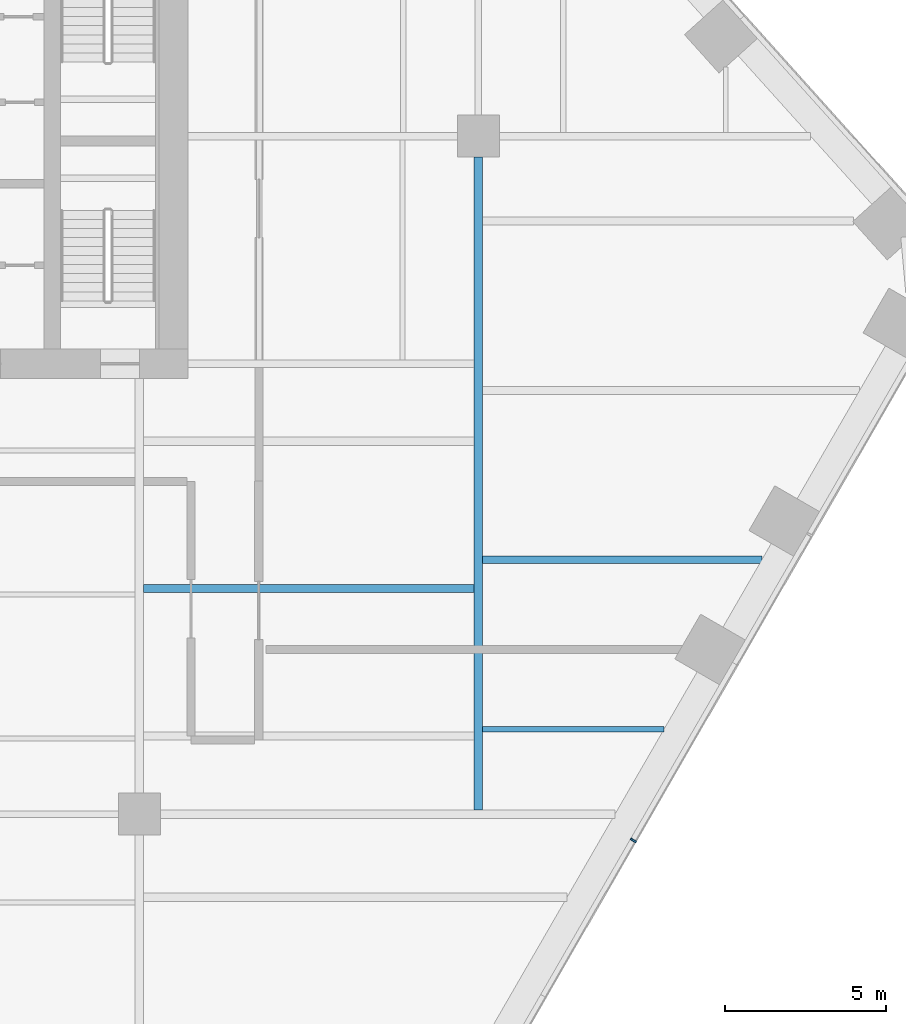
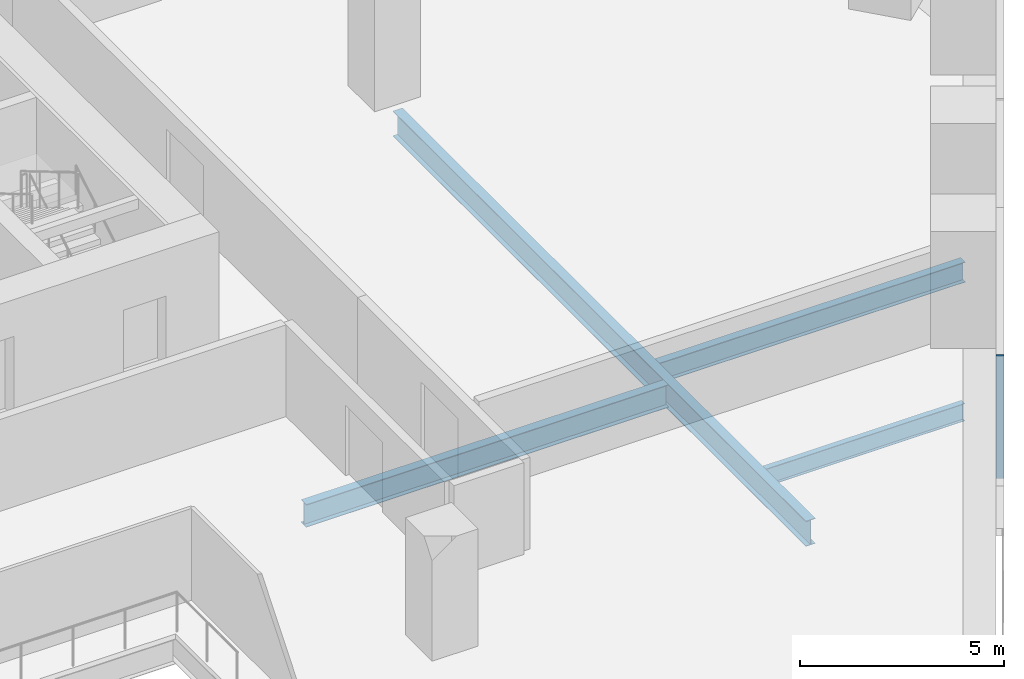
# One storey, part 7 of 19: 4 beams, 1 member, 1 element without a shape of its own.
"""IFC4 building model written with IfcOpenShell, lengths in metres."""

from ifc_helpers import new_model, si_unit, direction, frame, origin, origin_2d, place, context, subcontext, project, spatial, rectangle, i_section, extrude, material, layer, layer_set, material_profile, profile_set, type_object, element, aggregate, save


model = new_model("IFC4")

# Units and contexts
model_context = context("Model", 3, precision=1e-05, world=origin(), true_north=direction((0.0, 1.0)))
body_context = subcontext(model_context, "Body", "Model", "MODEL_VIEW")
ifc_project = project(units=[si_unit("LENGTHUNIT", "METRE"), si_unit("AREAUNIT", "SQUARE_METRE"), si_unit("VOLUMEUNIT", "CUBIC_METRE"), si_unit("PLANEANGLEUNIT", "RADIAN"), si_unit("MASSUNIT", "GRAM", prefix="KILO")], contexts=[model_context])

# Site, building, storey
site_placement = place(None, origin())
site = spatial("IfcSite", under=ifc_project, at=site_placement, CompositionType="ELEMENT")
building_placement = place(site_placement, origin())
building = spatial("IfcBuilding", under=site, at=building_placement, Name="Isthmus Gate Tower", CompositionType="ELEMENT")
storey_placement = place(building_placement, frame((0.0, 0.0, 95.25)))
storey = spatial("IfcBuildingStorey", under=building, at=storey_placement, Name="L22", CompositionType="ELEMENT", Elevation=95.25)

# Curtain wall, member
ifc_material_1 = material(Name="Aluminium, pale champagne anodised", Category="aluminium")
ifc_layer = layer(ifc_material_1, 0.199951171875)
ifc_layer_set = layer_set([ifc_layer], Name="CW-1 UNITISED CURTAIN WALL 200 DEEP")
curtain_wall_type = type_object("IfcCurtainWallType", Name="CW-1 UNITISED CURTAIN WALL 200 DEEP", PredefinedType="NOTDEFINED", material=ifc_layer_set)
curtain_wall_placement = place(storey_placement, origin())
curtain_wall = element("IfcCurtainWall", 1, at=curtain_wall_placement, inside=storey, type_object=curtain_wall_type, Name="CW-1 SE L22", PredefinedType="NOTDEFINED")
ifc_material_2 = material(Name="Aluminium, pale champagne anodised", Category="aluminium")
ifc_material_profile_1 = material_profile(ifc_material_2, rectangle(XDim=0.06005859375, YDim=0.199951171875, at=origin_2d()), Name="60x200")
ifc_profile_set_1 = profile_set([ifc_material_profile_1], Name="Aluminium, pale champagne anodised")
member_type = type_object("IfcMemberType", Name="CW-1 MULLION 60 X 200", PredefinedType="MULLION", material=ifc_profile_set_1)
member_placement = place(storey_placement, frame((28.802001953125, -14.3134765625, 0.0), z_axis=(0.0, 0.0, 1.0), x_axis=(0.5, 0.866025403784, 0.0)))
member = element("IfcMember", 2, at=member_placement, type_object=member_type, Name="CW-1 mullion", PredefinedType="MULLION", context=body_context, shape_type="SweptSolid", body=[
    extrude(rectangle(XDim=0.06005859375, YDim=0.199951171875, at=origin_2d()), origin(), (0.0, 0.0, 1.0), 3.64990234375),
])
aggregate(curtain_wall, [member])

# Beams
ifc_material_3 = material(Name="Structural steel ASTM A992 Gr 50", Category="steel")
ifc_material_profile_2 = material_profile(ifc_material_3, i_section(OverallWidth=0.1650390625, OverallDepth=0.52392578125, WebThickness=0.009521484375, FlangeThickness=0.010986328125, at=origin_2d()), Name="W21X44")
ifc_profile_set_2 = profile_set([ifc_material_profile_2], Name="Structural steel ASTM A992 Gr 50")
beam_type_1 = type_object("IfcBeamType", Name="STEEL FLOOR BEAM W21X44", PredefinedType="JOIST", material=ifc_profile_set_2)
beam_1_placement = place(storey_placement, frame((24.13330078125, -10.875, -0.411865234375), z_axis=(1.0, 0.0, 0.0), x_axis=(0.0, 1.0, 0.0)))
element("IfcBeam", 3, at=beam_1_placement, inside=storey, type_object=beam_type_1, Name="str-beam-L22-34-00", PredefinedType="JOIST", context=body_context, shape_type="SweptSolid", body=[
    extrude(i_section(OverallWidth=0.1650390625, OverallDepth=0.52392578125, WebThickness=0.009521484375, FlangeThickness=0.010986328125, at=origin_2d()), origin(), (0.0, 0.0, 1.0), 5.61474609375),
])
ifc_material_4 = material(Name="Structural steel ASTM A992 Gr 50", Category="steel")
ifc_material_profile_3 = material_profile(ifc_material_4, i_section(OverallWidth=0.228515625, OverallDepth=0.603271484375, WebThickness=0.010986328125, FlangeThickness=0.014404296875, at=origin_2d()), Name="W24X68")
ifc_profile_set_3 = profile_set([ifc_material_profile_3], Name="Structural steel ASTM A992 Gr 50")
beam_type_2 = type_object("IfcBeamType", Name="STEEL FLOOR BEAM W24X68", PredefinedType="JOIST", material=ifc_profile_set_3)
beam_2_placement = place(storey_placement, frame((24.13330078125, -5.625, -0.45166015625), z_axis=(1.0, 0.0, 0.0), x_axis=(0.0, 1.0, 0.0)))
element("IfcBeam", 4, at=beam_2_placement, inside=storey, type_object=beam_type_2, Name="str-beam-L22-34-01", PredefinedType="JOIST", context=body_context, shape_type="SweptSolid", body=[
    extrude(i_section(OverallWidth=0.228515625, OverallDepth=0.603271484375, WebThickness=0.010986328125, FlangeThickness=0.014404296875, at=origin_2d()), origin(), (0.0, 0.0, 1.0), 8.645751953125),
])
ifc_material_5 = material(Name="Structural steel ASTM A992 Gr 50", Category="steel")
ifc_material_profile_4 = material_profile(ifc_material_5, i_section(OverallWidth=0.25390625, OverallDepth=0.679443359375, WebThickness=0.010986328125, FlangeThickness=0.015869140625, at=origin_2d()), Name="W27X84")
ifc_profile_set_4 = profile_set([ifc_material_profile_4], Name="Structural steel ASTM A992 Gr 50")
beam_type_3 = type_object("IfcBeamType", Name="STEEL FLOOR BEAM W27X84", PredefinedType="JOIST", material=ifc_profile_set_4)
beam_3_placement = place(storey_placement, frame((13.6318359375, -6.515380859375, -0.48974609375), z_axis=(1.0, 0.0, 0.0), x_axis=(0.0, 1.0, 0.0)))
element("IfcBeam", 5, at=beam_3_placement, inside=storey, type_object=beam_type_3, Name="str-beam-L22-27-01", PredefinedType="JOIST", context=body_context, shape_type="SweptSolid", body=[
    extrude(i_section(OverallWidth=0.25390625, OverallDepth=0.679443359375, WebThickness=0.010986328125, FlangeThickness=0.015869140625, at=origin_2d()), origin(), (0.0, 0.0, 1.0), 10.23486328125),
])
ifc_material_6 = material(Name="Structural steel ASTM A992 Gr 50", Category="steel")
ifc_material_profile_5 = material_profile(ifc_material_6, i_section(OverallWidth=0.2666015625, OverallDepth=0.7587890625, WebThickness=0.014404296875, FlangeThickness=0.01904296875, at=origin_2d()), Name="W30X108")
ifc_profile_set_5 = profile_set([ifc_material_profile_5], Name="Structural steel ASTM A992 Gr 50")
beam_type_4 = type_object("IfcBeamType", Name="STEEL GIRDER W30X108", PredefinedType="BEAM", material=ifc_profile_set_5)
beam_4_placement = place(storey_placement, frame((24.0, -13.36669921875, -0.529296875), z_axis=(0.0, 1.0, 0.0), x_axis=(-1.0, 0.0, 0.0)))
element("IfcBeam", 6, at=beam_4_placement, inside=storey, type_object=beam_type_4, Name="str-girder-L22-36", PredefinedType="BEAM", context=body_context, shape_type="SweptSolid", body=[
    extrude(i_section(OverallWidth=0.2666015625, OverallDepth=0.7587890625, WebThickness=0.014404296875, FlangeThickness=0.01904296875, at=origin_2d()), origin(), (0.0, 0.0, 1.0), 20.216796875),
])

save(model, "model.ifc")
